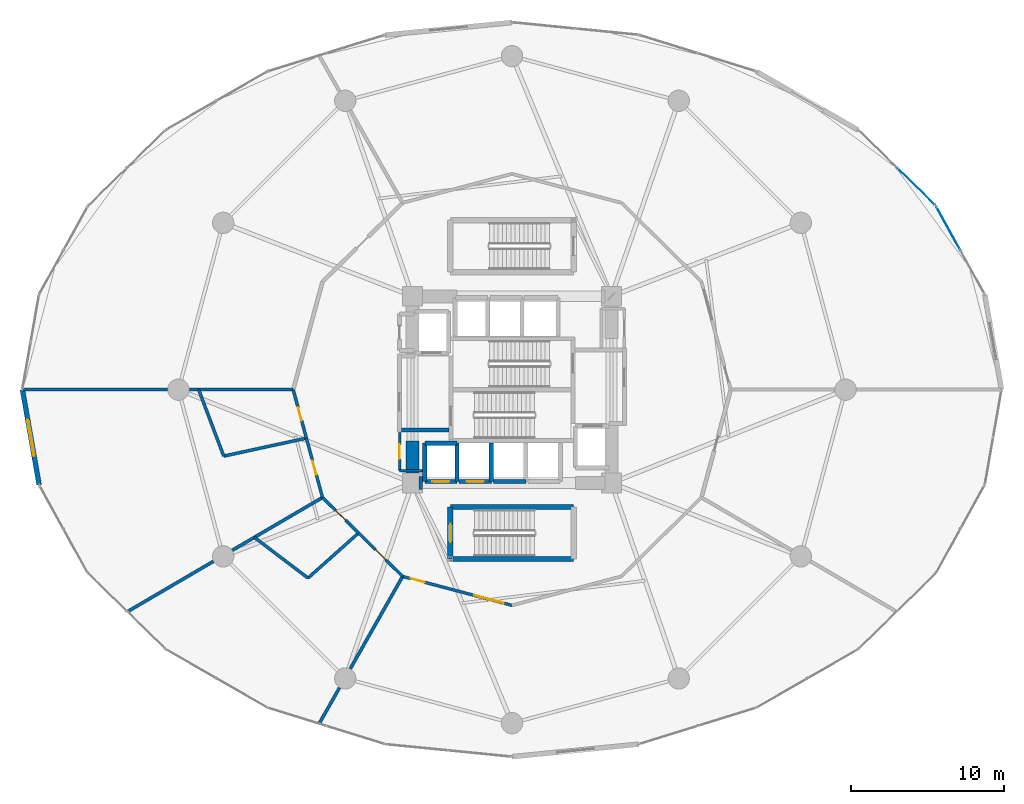
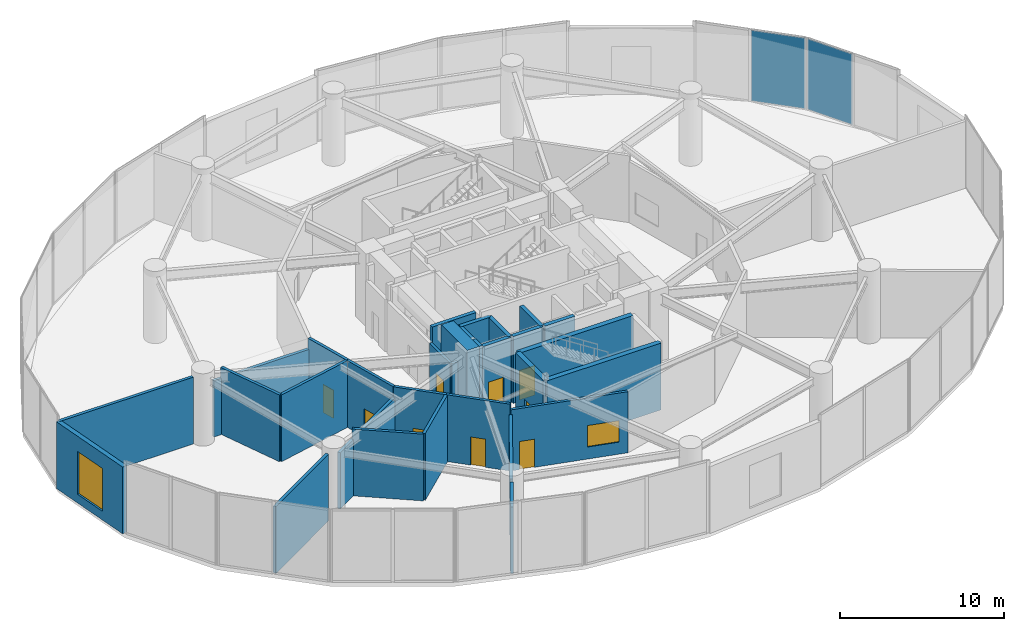
# One storey, part 23 of 29: 31 walls, 9 doors, 2 plates, 2 windows, 11 openings, 2 elements without a shape of their own.
"""IFC4 building model written with IfcOpenShell, lengths in metres."""

import ifcopenshell
import ifcopenshell.guid

model = None  # the IFC model being written
_history = None  # IfcOwnerHistory: only IFC2X3 demands one
_inside = {}  # id of a spatial element -> (the spatial element, [elements in it])
_under = {}  # id of a project, library or spatial element -> (it, [spatial elements below it])
_declared = {}  # id of a project -> (the project, [libraries it declares])
_typed = {}  # id of a type object -> (the type object, [elements of that type])
_made_of = {}  # id of a material, layer set ... -> (it, [elements and type objects made of it])


def new_model(schema):
    """Start an empty IFC model of exactly this schema.

    Asked for "IFC4X3", IfcOpenShell would pick the latest addendum, in which some entities
    have other attributes; the version numbers below select the first issue.
    IFC2X3 requires an IfcOwnerHistory on every rooted entity: one is made here for all.
    """
    global model, _history
    if schema == "IFC4X3":
        model = ifcopenshell.file(schema_version=(4, 3, 0, 0))
    else:
        model = ifcopenshell.file(schema=schema)
    _inside.clear()
    _under.clear()
    _declared.clear()
    _typed.clear()
    _made_of.clear()
    _history = None
    if model.schema == "IFC2X3":
        org = make("IfcOrganization", Name="unknown")
        user = make(
            "IfcPersonAndOrganization",
            ThePerson=make("IfcPerson", FamilyName="unknown"),
            TheOrganization=org,
        )
        app = make(
            "IfcApplication",
            ApplicationDeveloper=org,
            Version="unknown",
            ApplicationFullName="unknown",
            ApplicationIdentifier="unknown",
        )
        _history = make(
            "IfcOwnerHistory",
            OwningUser=user,
            OwningApplication=app,
            ChangeAction="ADDED",
            CreationDate=0,
        )
    return model


def make(cls, **values):
    """One entity of the class cls with the attributes given. An attribute that is None is left unset."""
    return model.create_entity(
        cls, **{name: value for name, value in values.items() if value is not None}
    )


def rooted(cls, **values):
    """An entity with a GlobalId (a new one), such as an element, a storey or a relation."""
    return make(cls, GlobalId=ifcopenshell.guid.new(), OwnerHistory=_history, **values)


def si_unit(unit_type, name, prefix=None):
    """IfcSIUnit, for example si_unit("LENGTHUNIT", "METRE", prefix="MILLI")."""
    return make("IfcSIUnit", UnitType=unit_type, Prefix=prefix, Name=name)


def assignment(units):
    """IfcUnitAssignment: the units of a project."""
    return None if units is None else make("IfcUnitAssignment", Units=units)


def point(xyz):
    """IfcCartesianPoint."""
    return None if xyz is None else make("IfcCartesianPoint", Coordinates=xyz)


def direction(xyz):
    """IfcDirection."""
    return None if xyz is None else make("IfcDirection", DirectionRatios=xyz)


def frame(location, z_axis=None, x_axis=None):
    """IfcAxis2Placement3D, a coordinate frame: its origin and axes. An axis left out is left unset."""
    return make(
        "IfcAxis2Placement3D",
        Location=point(location),
        Axis=direction(z_axis),
        RefDirection=direction(x_axis),
    )


def frame_2d(location, x_axis=None):
    """IfcAxis2Placement2D, a coordinate frame in the plane: its origin and x axis."""
    return make(
        "IfcAxis2Placement2D", Location=point(location), RefDirection=direction(x_axis)
    )


def origin():
    """The frame at (0, 0, 0) with its axes left unset."""
    return frame((0.0, 0.0, 0.0))


def origin_2d():
    """The frame at (0, 0) in the plane with its x axis left unset."""
    return frame_2d((0.0, 0.0))


def place(relative_to, where):
    """IfcLocalPlacement: puts the frame where relative to a parent placement (None: the world)."""
    return make(
        "IfcLocalPlacement", PlacementRelTo=relative_to, RelativePlacement=where
    )


def context(
    kind, dimensions, precision=None, world=None, true_north=None, identifier=None
):
    """IfcGeometricRepresentationContext, for example the 3D "Model" context."""
    return make(
        "IfcGeometricRepresentationContext",
        ContextIdentifier=identifier,
        ContextType=kind,
        CoordinateSpaceDimension=dimensions,
        Precision=precision,
        WorldCoordinateSystem=world,
        TrueNorth=true_north,
    )


def subcontext(parent, identifier, kind, view, scale=None):
    """IfcGeometricRepresentationSubContext, for example "Body" below "Model"."""
    return make(
        "IfcGeometricRepresentationSubContext",
        ContextIdentifier=identifier,
        ContextType=kind,
        ParentContext=parent,
        TargetScale=scale,
        TargetView=view,
    )


def project(units=None, contexts=None):
    """IfcProject with its units and contexts."""
    return rooted(
        "IfcProject",
        Name="project",
        RepresentationContexts=contexts,
        UnitsInContext=assignment(units),
    )


def spatial(cls, under=None, at=None, **own):
    """A site, building, storey or space (cls), placed at a placement, below another one or the project."""
    s = rooted(cls, ObjectPlacement=at, **own)
    if under is not None:
        _under.setdefault(under.id(), (under, []))[1].append(s)
    return s


def profile(cls, at=None, kind="AREA", **sizes):
    """A parametric profile (cls). Its sizes go by their IFC names, for example OverallWidth=200.0."""
    return make(cls, ProfileType=kind, Position=at, **sizes)


def rectangle(**sizes):
    """IfcRectangleProfileDef."""
    return profile("IfcRectangleProfileDef", **sizes)


def extrude(swept, where, along, depth):
    """IfcExtrudedAreaSolid: the profile swept, set in the frame where, extruded along a direction by depth."""
    return make(
        "IfcExtrudedAreaSolid",
        SweptArea=swept,
        Position=where,
        ExtrudedDirection=direction(along),
        Depth=depth,
    )


def shape(context_of_items, identifier, shape_type, items):
    """IfcShapeRepresentation: the items that make up one representation, for example the "Body"."""
    return make(
        "IfcShapeRepresentation",
        ContextOfItems=context_of_items,
        RepresentationIdentifier=identifier,
        RepresentationType=shape_type,
        Items=items,
    )


def source(mapping_origin, context_of_items, identifier, shape_type, items):
    """IfcRepresentationMap: a shape defined once, which mapped items show again and again."""
    return make(
        "IfcRepresentationMap",
        MappingOrigin=mapping_origin,
        MappedRepresentation=shape(context_of_items, identifier, shape_type, items),
    )


def transform(
    local_origin,
    x_axis=None,
    y_axis=None,
    z_axis=None,
    scale=None,
    scale2=None,
    scale3=None,
    uniform=True,
):
    """IfcCartesianTransformationOperator3D, or its non-uniform kind. x_axis, y_axis, z_axis: its Axis1, 2, 3."""
    if uniform:
        return make(
            "IfcCartesianTransformationOperator3D",
            Axis1=direction(x_axis),
            Axis2=direction(y_axis),
            LocalOrigin=point(local_origin),
            Scale=scale,
            Axis3=direction(z_axis),
        )
    return make(
        "IfcCartesianTransformationOperator3DnonUniform",
        Axis1=direction(x_axis),
        Axis2=direction(y_axis),
        LocalOrigin=point(local_origin),
        Scale=scale,
        Axis3=direction(z_axis),
        Scale2=scale2,
        Scale3=scale3,
    )


def mapped(mapping_source, mapping_target):
    """IfcMappedItem: shows the shape of a source again, moved by a transform."""
    return make(
        "IfcMappedItem", MappingSource=mapping_source, MappingTarget=mapping_target
    )


def material(Name=None, Category=None):
    """IfcMaterial."""
    return make("IfcMaterial", Name=Name, Category=Category)


def layer(
    of_material, thickness, ventilated=None, Name=None, Category=None, Priority=None
):
    """IfcMaterialLayer: one layer of a wall or slab, of a material (None: an air gap)."""
    return make(
        "IfcMaterialLayer",
        Material=of_material,
        LayerThickness=thickness,
        IsVentilated=ventilated,
        Name=Name,
        Category=Category,
        Priority=Priority,
    )


def layer_set(layers, Name=None):
    """IfcMaterialLayerSet."""
    return make("IfcMaterialLayerSet", MaterialLayers=layers, LayerSetName=Name)


def made_of(thing, what):
    """Note that an element or type object is made of a material, layer set ...; save() writes the relation."""
    if what is not None:
        _made_of.setdefault(what.id(), (what, []))[1].append(thing)
    return thing


def type_object(cls, material=None, **own):
    """A type object (cls), such as IfcWallType, which elements share."""
    return made_of(rooted(cls, **own), material)


def element(
    cls,
    number,
    at=None,
    inside=None,
    cuts=None,
    type_object=None,
    material=None,
    context=None,
    identifier="Body",
    shape_type=None,
    held_by="IfcProductDefinitionShape",
    body=None,
    shapes=None,
    **own,
):
    """One element of the class cls, such as IfcWall. Its Tag is "e" and its number.

    at: its placement. inside: the storey or other place that contains it. cuts: it is an
    opening in that element (IfcRelVoidsElement). A single representation is given by context,
    identifier, shape_type and body (its items); several are given by shapes. held_by: the class
    of the entity that holds the representations. save() writes the other relations.
    """
    e = rooted(cls, Tag="e%d" % number, ObjectPlacement=at, **own)
    if body is not None:
        shapes = [shape(context, identifier, shape_type, body)]
    if shapes is not None:
        e.Representation = make(held_by, Representations=shapes)
    if inside is not None:
        _inside.setdefault(inside.id(), (inside, []))[1].append(e)
    if cuts is not None:
        rooted(
            "IfcRelVoidsElement", RelatingBuildingElement=cuts, RelatedOpeningElement=e
        )
    if type_object is not None:
        _typed.setdefault(type_object.id(), (type_object, []))[1].append(e)
    return made_of(e, material)


def fill(opening, filler):
    """IfcRelFillsElement: the door or window that sits in an opening."""
    return rooted(
        "IfcRelFillsElement",
        RelatingOpeningElement=opening,
        RelatedBuildingElement=filler,
    )


def aggregate(whole, parts):
    """IfcRelAggregates: a whole, such as a stair, and the parts it consists of."""
    return rooted("IfcRelAggregates", RelatingObject=whole, RelatedObjects=parts)


def save(model, path):
    """Write the relations noted so far, then the file.

    IfcRelAggregates (storeys below a building ...), IfcRelContainedInSpatialStructure (elements
    in a storey), IfcRelDefinesByType, IfcRelAssociatesMaterial and IfcRelDeclares: one each for
    every whole, place, type object, material and project.
    """
    for whole, parts in _under.values():
        aggregate(whole, parts)
    for where, things in _inside.values():
        rooted(
            "IfcRelContainedInSpatialStructure",
            RelatedElements=things,
            RelatingStructure=where,
        )
    for kind, things in _typed.values():
        rooted("IfcRelDefinesByType", RelatedObjects=things, RelatingType=kind)
    for what, things in _made_of.values():
        rooted("IfcRelAssociatesMaterial", RelatedObjects=things, RelatingMaterial=what)
    for by, libraries in _declared.values():
        rooted("IfcRelDeclares", RelatingContext=by, RelatedDefinitions=libraries)
    model.write(path)


model = new_model("IFC4")

# Units and contexts
model_context = context("Model", 3, precision=1e-05, world=origin(), true_north=direction((0.0, 1.0)))
body_context = subcontext(model_context, "Body", "Model", "MODEL_VIEW")
ifc_project = project(units=[si_unit("LENGTHUNIT", "METRE"), si_unit("AREAUNIT", "SQUARE_METRE"), si_unit("VOLUMEUNIT", "CUBIC_METRE"), si_unit("PLANEANGLEUNIT", "RADIAN"), si_unit("MASSUNIT", "GRAM", prefix="KILO")], contexts=[model_context])

# Site, building, storey
site_placement = place(None, origin())
site = spatial("IfcSite", under=ifc_project, at=site_placement, CompositionType="ELEMENT")
building_placement = place(site_placement, origin())
building = spatial("IfcBuilding", under=site, at=building_placement, Name="Solvirekh Grand Hotel", CompositionType="ELEMENT")
storey_placement = place(building_placement, frame((0.0, 0.0, 7.199951171875)))
storey = spatial("IfcBuildingStorey", under=building, at=storey_placement, Name="L01", CompositionType="ELEMENT", Elevation=7.199951171875)

# Curtain wall, plate
ifc_material_1 = material(Name="Anodized Bronze Aluminium 6063-T6", Category="aluminium")
ifc_layer_1 = layer(ifc_material_1, 0.219970703125)
ifc_layer_set_1 = layer_set([ifc_layer_1], Name="Anodized Bronze Aluminium 6063-T6")
curtain_wall_type = type_object("IfcCurtainWallType", Name="CW_Sys1_PodiumBronzeUnitised", PredefinedType="NOTDEFINED", material=ifc_layer_set_1)
curtain_wall_1_placement = place(storey_placement, origin())
curtain_wall_1 = element("IfcCurtainWall", 1, at=curtain_wall_1_placement, inside=storey, type_object=curtain_wall_type, Name="L01 unitised bronze-glass curtain wall CW-L01-C02", PredefinedType="NOTDEFINED")
ifc_material_2 = material(Name="Low-E Tinted Bronze Laminated Glass", Category="aluminium")
ifc_layer_2 = layer(ifc_material_2, 0.0439453125)
ifc_layer_set_2 = layer_set([ifc_layer_2], Name="Low-E Tinted Bronze Laminated Glass")
plate_type = type_object("IfcPlateType", Name="CWPanel_Podium_44", PredefinedType="CURTAIN_PANEL", material=ifc_layer_set_2)
shared_shape_1 = source(origin(), body_context, "Body", "SweptSolid", [
    extrude(rectangle(XDim=3.193603515625, YDim=0.0439453125, at=origin_2d()), origin(), (0.0, 0.0, 1.0), 5.27001953125),
])
plate_1_placement = place(storey_placement, frame((28.521240234375, 10.53662109375, 0.06494140625), z_axis=(0.0, 0.0, 1.0), x_axis=(-0.48349707719, 0.875345975229, 0.0)))
plate_1 = element("IfcPlate", 2, at=plate_1_placement, type_object=plate_type, Name="U01 panel 2.1", PredefinedType="CURTAIN_PANEL", context=body_context, shape_type="MappedRepresentation", body=[
    mapped(shared_shape_1, transform((0.0, 0.0, 0.0), x_axis=(1.0, 0.0, 0.0), y_axis=(0.0, 1.0, 0.0), z_axis=(0.0, 0.0, 1.0), scale=1.0)),
])
aggregate(curtain_wall_1, [plate_1])

curtain_wall_2_placement = place(storey_placement, origin())
curtain_wall_2 = element("IfcCurtainWall", 3, at=curtain_wall_2_placement, inside=storey, type_object=curtain_wall_type, Name="L01 unitised bronze-glass curtain wall CW-L01-C03", PredefinedType="NOTDEFINED")
shared_shape_2 = source(origin(), body_context, "Body", "SweptSolid", [
    extrude(rectangle(XDim=3.443359375, YDim=0.0439453125, at=origin_2d()), origin(), (0.0, 0.0, 1.0), 5.27001953125),
])
plate_2_placement = place(storey_placement, frame((26.427978515625, 13.255859375, 0.06494140625), z_axis=(0.0, 0.0, 1.0), x_axis=(-0.715145668062, 0.698975445529, 0.0)))
plate_2 = element("IfcPlate", 4, at=plate_2_placement, type_object=plate_type, Name="U01 panel 1.1", PredefinedType="CURTAIN_PANEL", context=body_context, shape_type="MappedRepresentation", body=[
    mapped(shared_shape_2, transform((0.0, 0.0, 0.0), x_axis=(1.0, 0.0, 0.0), y_axis=(0.0, 1.0, 0.0), z_axis=(0.0, 0.0, 1.0), scale=1.0)),
])
aggregate(curtain_wall_2, [plate_2])

# Wall, opening, door
ifc_material_3 = material(Name="Concrete C50/60", Category="concrete")
ifc_layer_3 = layer(ifc_material_3, 0.35009765625)
ifc_layer_set_3 = layer_set([ifc_layer_3], Name="Concrete C50/60")
wall_type_1 = type_object("IfcWallType", Name="CoreDivWall_RC350", PredefinedType="SOLIDWALL", material=ifc_layer_set_3)
wall_1_placement = place(storey_placement, frame((-4.02490234375, -11.074951171875, 0.0), z_axis=(0.0, 0.0, 1.0), x_axis=(0.0, 1.0, 0.0)))
wall_1 = element("IfcWall", 5, at=wall_1_placement, inside=storey, type_object=wall_type_1, Name="L01 podium stair ST-3 west landing wall", PredefinedType="SOLIDWALL", context=body_context, shape_type="SweptSolid", body=[
    extrude(rectangle(XDim=3.39990234375, YDim=0.35009765625, at=frame_2d((1.699951171875, 0.0))), origin(), (0.0, 0.0, 1.0), 4.97998046875),
])
opening_1_placement = place(wall_1_placement, frame((1.10009765625, 0.0, 0.0)))
opening_1 = element("IfcOpeningElement", 6, at=opening_1_placement, cuts=wall_1, Name="Opening D05", PredefinedType="OPENING", context=body_context, shape_type="SweptSolid", body=[
    extrude(rectangle(XDim=1.199951171875, YDim=2.199951171875, at=frame_2d((0.60009765625, 1.10009765625))), frame((0.0, 0.18505859375, 0.0), z_axis=(0.0, -1.0, 0.0), x_axis=(1.0, 0.0, 0.0)), (0.0, 0.0, 1.0), 0.3701171875),
])
ifc_material_4 = material(Name="Fire-Rated Steel Door Assembly", Category="steel")
door_type_1 = type_object("IfcDoorType", Name="Door_StairCore_1200X2200", OperationType="NOTDEFINED", PredefinedType="DOOR", material=ifc_material_4)
door_1_placement = place(opening_1_placement, origin())
door_1 = element("IfcDoor", 7, at=door_1_placement, inside=storey, type_object=door_type_1, Name="L01 podium stair ST-3 fire door", OperationType="SINGLE_SWING_LEFT", OverallHeight=2.199951171875, OverallWidth=1.199951171875, PredefinedType="DOOR", context=body_context, shape_type="SweptSolid", body=[
    extrude(rectangle(XDim=1.199951171875, YDim=2.199951171875, at=frame_2d((0.60009765625, 1.10009765625))), frame((0.0, 0.02490234375, 0.0), z_axis=(0.0, -1.0, 0.0), x_axis=(1.0, 0.0, 0.0)), (0.0, 0.0, 1.0), 0.050048828125),
])
fill(opening_1, door_1)

# Walls
for number, where, z_axis, x_axis, name in (
    (8, (-4.02490234375, -11.074951171875, 0.0), (0.0, 0.0, 1.0), (1.0, 0.0, 0.0), "L01 podium stair ST-3 S enclosure wall"),
    (9, (4.02490234375, -7.675048828125, 0.0), (0.0, 0.0, 1.0), (-1.0, 0.0, 0.0), "L01 podium stair ST-3 N enclosure wall"),
):
    element("IfcWall", number, at=place(storey_placement, frame(where, z_axis=z_axis, x_axis=x_axis)), inside=storey, type_object=wall_type_1, Name=name, PredefinedType="SOLIDWALL", context=body_context, shape_type="SweptSolid", body=[
        extrude(rectangle(XDim=8.0498046875, YDim=0.35009765625, at=frame_2d((4.02490234375, 0.0))), origin(), (0.0, 0.0, 1.0), 4.97998046875),
    ])

# Wall, opening, door
ifc_material_5 = material(Name="Concrete C40/50", Category="concrete")
ifc_layer_4 = layer(ifc_material_5, 0.280029296875)
ifc_layer_set_4 = layer_set([ifc_layer_4], Name="Concrete C40/50")
wall_type_2 = type_object("IfcWallType", Name="CoreShaftWall_RC280", PredefinedType="SOLIDWALL", material=ifc_layer_set_4)
wall_2_placement = place(storey_placement, frame((-5.699951171875, -6.0, 0.0), z_axis=(0.0, 0.0, 1.0), x_axis=(1.0, 0.0, 0.0)))
wall_2 = element("IfcWall", 10, at=wall_2_placement, inside=storey, type_object=wall_type_2, Name="L01 LP-1 hoistway S wall", PredefinedType="SOLIDWALL", context=body_context, shape_type="SweptSolid", body=[
    extrude(rectangle(XDim=2.099853515625, YDim=0.280029296875, at=frame_2d((1.0498046875, 0.0))), origin(), (0.0, 0.0, 1.0), 4.97998046875),
])
opening_2_placement = place(wall_2_placement, frame((0.5, 0.0, 0.0)))
opening_2 = element("IfcOpeningElement", 11, at=opening_2_placement, cuts=wall_2, Name="Opening LD01", PredefinedType="OPENING", context=body_context, shape_type="SweptSolid", body=[
    extrude(rectangle(XDim=1.10009765625, YDim=2.199951171875, at=frame_2d((0.550048828125, 1.10009765625))), frame((0.0, 0.14990234375, 0.0), z_axis=(0.0, -1.0, 0.0), x_axis=(1.0, 0.0, 0.0)), (0.0, 0.0, 1.0), 0.300048828125),
])
door_type_2 = type_object("IfcDoorType", Name="Door_LiftLanding_1100X2200", OperationType="SLIDING_TO_LEFT", PredefinedType="DOOR", material=ifc_material_4)
door_2_placement = place(opening_2_placement, origin())
door_2 = element("IfcDoor", 12, at=door_2_placement, inside=storey, type_object=door_type_2, Name="L01 LP-1 sliding lift landing door", OperationType="SLIDING_TO_LEFT", OverallHeight=2.199951171875, OverallWidth=1.10009765625, PredefinedType="DOOR", context=body_context, shape_type="SweptSolid", body=[
    extrude(rectangle(XDim=1.10009765625, YDim=2.199951171875, at=frame_2d((0.550048828125, 1.10009765625))), frame((0.0, 0.02490234375, 0.0), z_axis=(0.0, -1.0, 0.0), x_axis=(1.0, 0.0, 0.0)), (0.0, 0.0, 1.0), 0.050048828125),
])
fill(opening_2, door_2)

# Walls
wall_3_placement = place(storey_placement, frame((-3.60009765625, -3.5, 0.0), z_axis=(0.0, 0.0, 1.0), x_axis=(-1.0, 0.0, 0.0)))
element("IfcWall", 13, at=wall_3_placement, inside=storey, type_object=wall_type_2, Name="L01 LP-1 hoistway N wall", PredefinedType="SOLIDWALL", context=body_context, shape_type="SweptSolid", body=[
    extrude(rectangle(XDim=2.099853515625, YDim=0.280029296875, at=frame_2d((1.0498046875, 0.0))), origin(), (0.0, 0.0, 1.0), 4.97998046875),
])
for number, where, z_axis, x_axis, name in (
    (14, (-5.699951171875, -3.5, 0.0), (0.0, 0.0, 1.0), (0.0, -1.0, 0.0), "L01 LP-1 hoistway W wall"),
    (15, (-3.60009765625, -6.0, 0.0), (0.0, 0.0, 1.0), (0.0, 1.0, 0.0), "L01 LP-1 hoistway E wall"),
):
    element("IfcWall", number, at=place(storey_placement, frame(where, z_axis=z_axis, x_axis=x_axis)), inside=storey, type_object=wall_type_2, Name=name, PredefinedType="SOLIDWALL", context=body_context, shape_type="SweptSolid", body=[
        extrude(rectangle(XDim=2.5, YDim=0.280029296875, at=frame_2d((1.25, 0.0))), origin(), (0.0, 0.0, 1.0), 4.97998046875),
    ])

# Wall, opening, door
wall_4_placement = place(storey_placement, frame((-3.449951171875, -6.0, 0.0), z_axis=(0.0, 0.0, 1.0), x_axis=(1.0, 0.0, 0.0)))
wall_4 = element("IfcWall", 16, at=wall_4_placement, inside=storey, type_object=wall_type_2, Name="L01 LP-2 hoistway S wall", PredefinedType="SOLIDWALL", context=body_context, shape_type="SweptSolid", body=[
    extrude(rectangle(XDim=2.099853515625, YDim=0.280029296875, at=frame_2d((1.0498046875, 0.0))), origin(), (0.0, 0.0, 1.0), 4.97998046875),
])
opening_3_placement = place(wall_4_placement, frame((0.5, 0.0, 0.0)))
opening_3 = element("IfcOpeningElement", 17, at=opening_3_placement, cuts=wall_4, Name="Opening LD01", PredefinedType="OPENING", context=body_context, shape_type="SweptSolid", body=[
    extrude(rectangle(XDim=1.10009765625, YDim=2.199951171875, at=frame_2d((0.550048828125, 1.10009765625))), frame((0.0, 0.14990234375, 0.0), z_axis=(0.0, -1.0, 0.0), x_axis=(1.0, 0.0, 0.0)), (0.0, 0.0, 1.0), 0.300048828125),
])
door_3_placement = place(opening_3_placement, origin())
door_3 = element("IfcDoor", 18, at=door_3_placement, inside=storey, type_object=door_type_2, Name="L01 LP-2 sliding lift landing door", OperationType="SLIDING_TO_LEFT", OverallHeight=2.199951171875, OverallWidth=1.10009765625, PredefinedType="DOOR", context=body_context, shape_type="SweptSolid", body=[
    extrude(rectangle(XDim=1.10009765625, YDim=2.199951171875, at=frame_2d((0.550048828125, 1.10009765625))), frame((0.0, 0.02490234375, 0.0), z_axis=(0.0, -1.0, 0.0), x_axis=(1.0, 0.0, 0.0)), (0.0, 0.0, 1.0), 0.050048828125),
])
fill(opening_3, door_3)

# Walls
wall_5_placement = place(storey_placement, frame((-1.35009765625, -6.0, 0.0), z_axis=(0.0, 0.0, 1.0), x_axis=(0.0, 1.0, 0.0)))
element("IfcWall", 19, at=wall_5_placement, inside=storey, type_object=wall_type_2, Name="L01 LP-2 hoistway E wall", PredefinedType="SOLIDWALL", context=body_context, shape_type="SweptSolid", body=[
    extrude(rectangle(XDim=2.5, YDim=0.280029296875, at=frame_2d((1.25, 0.0))), origin(), (0.0, 0.0, 1.0), 4.97998046875),
])
wall_6_placement = place(storey_placement, frame((-1.199951171875, -6.0, 0.0), z_axis=(0.0, 0.0, 1.0), x_axis=(1.0, 0.0, 0.0)))
element("IfcWall", 20, at=wall_6_placement, inside=storey, type_object=wall_type_2, Name="L01 MP-1 hoistway S wall", PredefinedType="SOLIDWALL", context=body_context, shape_type="SweptSolid", body=[
    extrude(rectangle(XDim=2.099853515625, YDim=0.280029296875, at=frame_2d((1.0498046875, 0.0))), origin(), (0.0, 0.0, 1.0), 4.97998046875),
])
ifc_material_6 = material(Name="Concrete C60/75", Category="concrete")
ifc_layer_5 = layer(ifc_material_6, 0.85009765625)
ifc_layer_set_5 = layer_set([ifc_layer_5], Name="Concrete C60/75")
wall_type_3 = type_object("IfcWallType", Name="CoreWall_RC850", PredefinedType="SHEAR", material=ifc_layer_set_5)
wall_7_placement = place(storey_placement, frame((-6.074951171875, -6.10009765625, 0.0), z_axis=(0.0, 0.0, 1.0), x_axis=(1.0, 0.0, 0.0)))
element("IfcWall", 21, at=wall_7_placement, inside=storey, type_object=wall_type_3, Name="L01 core corner shear wall SW-S", PredefinedType="SHEAR", context=body_context, shape_type="SweptSolid", body=[
    extrude(rectangle(XDim=0.224853515625, YDim=0.85009765625, at=frame_2d((0.1123046875, 0.0))), origin(), (0.0, 0.0, 1.0), 5.400146484375),
])
wall_8_placement = place(storey_placement, frame((-6.5, -6.52490234375, 0.0), z_axis=(0.0, 0.0, 1.0), x_axis=(0.0, 1.0, 0.0)))
element("IfcWall", 22, at=wall_8_placement, inside=storey, type_object=wall_type_3, Name="L01 core corner shear wall WS-W", PredefinedType="SHEAR", context=body_context, shape_type="SweptSolid", body=[
    extrude(rectangle(XDim=3.1748046875, YDim=0.85009765625, at=frame_2d((1.58740234375, 0.0))), origin(), (0.0, 0.0, 1.0), 5.400146484375),
])

# Wall, opening, window
ifc_material_7 = material(Name="Precast concrete C45/55", Category="concrete")
ifc_layer_6 = layer(ifc_material_7, 0.320068359375)
ifc_layer_set_6 = layer_set([ifc_layer_6], Name="Precast concrete C45/55")
wall_type_4 = type_object("IfcWallType", Name="ExtLobbyWall_RC320", PredefinedType="SOLIDWALL", material=ifc_layer_set_6)
wall_9_placement = place(storey_placement, frame((-30.909912109375, -6.2119140625, 0.0), z_axis=(0.0, 0.0, 1.0), x_axis=(-0.172842303266, 0.984949510483, 0.0)))
wall_9 = element("IfcWall", 23, at=wall_9_placement, inside=storey, type_object=wall_type_4, Name="L01 exterior structural wall chord 13", PredefinedType="SOLIDWALL", context=body_context, shape_type="SweptSolid", body=[
    extrude(rectangle(XDim=6.306884765625, YDim=0.320068359375, at=frame_2d((3.1533203125, 0.0))), origin(), (0.0, 0.0, 1.0), 4.97998046875),
])
opening_4_placement = place(wall_9_placement, frame((1.89990234375, 0.0, 0.64990234375)))
opening_4 = element("IfcOpeningElement", 24, at=opening_4_placement, cuts=wall_9, Name="Opening W01", PredefinedType="OPENING", context=body_context, shape_type="SweptSolid", body=[
    extrude(rectangle(XDim=2.39990234375, YDim=3.199951171875, at=frame_2d((1.199951171875, 1.60009765625))), frame((0.0, 0.169921875, 0.0), z_axis=(0.0, -1.0, 0.0), x_axis=(1.0, 0.0, 0.0)), (0.0, 0.0, 1.0), 0.340087890625),
])
window_type_1 = type_object("IfcWindowType", Name="Win_LobbyExt_2400X3200", PartitioningType="SINGLE_PANEL", PredefinedType="WINDOW", material=ifc_material_2)
window_1_placement = place(opening_4_placement, origin())
window_1 = element("IfcWindow", 25, at=window_1_placement, inside=storey, type_object=window_type_1, Name="L01 panoramic bronze-framed window 13", OverallHeight=3.199951171875, OverallWidth=2.39990234375, PartitioningType="SINGLE_PANEL", PredefinedType="WINDOW", context=body_context, shape_type="SweptSolid", body=[
    extrude(rectangle(XDim=2.39990234375, YDim=3.199951171875, at=frame_2d((1.199951171875, 1.60009765625))), frame((0.0, 0.030029296875, 0.0), z_axis=(0.0, -1.0, 0.0), x_axis=(1.0, 0.0, 0.0)), (0.0, 0.0, 1.0), 0.06005859375),
])
fill(opening_4, window_1)

# Wall
ifc_material_8 = material(Name="Acoustic Gypsum Partition Assembly")
ifc_layer_7 = layer(ifc_material_8, 0.1650390625)
ifc_layer_set_7 = layer_set([ifc_layer_7], Name="Acoustic Gypsum Partition Assembly")
wall_type_5 = type_object("IfcWallType", Name="Part_BOH_165", PredefinedType="PARTITIONING", material=ifc_layer_set_7)
wall_10_placement = place(storey_placement, frame((-7.35009765625, -5.300048828125, 0.0), z_axis=(0.0, 0.0, 1.0), x_axis=(1.0, 0.0, 0.0)))
element("IfcWall", 26, at=wall_10_placement, inside=storey, type_object=wall_type_5, Name="L01 L01 Core Linen Store wall 1", PredefinedType="PARTITIONING", context=body_context, shape_type="SweptSolid", body=[
    extrude(rectangle(XDim=1.5, YDim=0.1650390625, at=frame_2d((0.75, 0.0))), origin(), (0.0, 0.0, 1.0), 3.864990234375),
])

# Wall, opening, door
wall_11_placement = place(storey_placement, frame((-7.35009765625, -2.800048828125, 0.0), z_axis=(0.0, 0.0, 1.0), x_axis=(0.0, -1.0, 0.0)))
wall_11 = element("IfcWall", 27, at=wall_11_placement, inside=storey, type_object=wall_type_5, Name="L01 L01 Core Linen Store wall 4", PredefinedType="PARTITIONING", context=body_context, shape_type="SweptSolid", body=[
    extrude(rectangle(XDim=2.5, YDim=0.1650390625, at=frame_2d((1.25, 0.0))), origin(), (0.0, 0.0, 1.0), 3.864990234375),
])
opening_5_placement = place(wall_11_placement, frame((0.77490234375, 0.0, 0.0)))
opening_5 = element("IfcOpeningElement", 28, at=opening_5_placement, cuts=wall_11, Name="Opening D10", PredefinedType="OPENING", context=body_context, shape_type="SweptSolid", body=[
    extrude(rectangle(XDim=0.949951171875, YDim=2.10009765625, at=frame_2d((0.47509765625, 1.050048828125))), frame((0.0, 0.092529296875, 0.0), z_axis=(0.0, -1.0, 0.0), x_axis=(1.0, 0.0, 0.0)), (0.0, 0.0, 1.0), 0.18505859375),
])
door_type_3 = type_object("IfcDoorType", Name="Door_RoomInt_950X2100", OperationType="NOTDEFINED", PredefinedType="DOOR", material=ifc_material_1)
door_4_placement = place(opening_5_placement, origin())
door_4 = element("IfcDoor", 29, at=door_4_placement, inside=storey, type_object=door_type_3, Name="L01 L01 Core Linen Store door", OperationType="SINGLE_SWING_RIGHT", OverallHeight=2.10009765625, OverallWidth=0.949951171875, PredefinedType="DOOR", context=body_context, shape_type="SweptSolid", body=[
    extrude(rectangle(XDim=0.949951171875, YDim=2.10009765625, at=frame_2d((0.47509765625, 1.050048828125))), frame((0.0, 0.02490234375, 0.0), z_axis=(0.0, -1.0, 0.0), x_axis=(1.0, 0.0, 0.0)), (0.0, 0.0, 1.0), 0.050048828125),
])
fill(opening_5, door_4)

ifc_layer_8 = layer(ifc_material_8, 0.18994140625)
ifc_layer_set_8 = layer_set([ifc_layer_8], Name="Acoustic Gypsum Partition Assembly")
wall_type_6 = type_object("IfcWallType", Name="Part_GuestDemise_190", PredefinedType="PARTITIONING", material=ifc_layer_set_8)
wall_12_placement = place(storey_placement, frame((-13.43798828125, -3.172119140625, 0.0), z_axis=(0.0, 0.0, 1.0), x_axis=(0.262269103922, -0.9649947757, 0.0)))
wall_12 = element("IfcWall", 30, at=wall_12_placement, inside=storey, type_object=wall_type_6, Name="L01 Brasserie Sommelier Wine Salon corridor wall", PredefinedType="PARTITIONING", context=body_context, shape_type="SweptSolid", body=[
    extrude(rectangle(XDim=4.0185546875, YDim=0.18994140625, at=frame_2d((2.00927734375, 0.0))), origin(), (0.0, 0.0, 1.0), 4.97998046875),
])
opening_6_placement = place(wall_12_placement, frame((1.533935546875, 0.0, 0.0)))
opening_6 = element("IfcOpeningElement", 31, at=opening_6_placement, cuts=wall_12, Name="Opening D10", PredefinedType="OPENING", context=body_context, shape_type="SweptSolid", body=[
    extrude(rectangle(XDim=0.949951171875, YDim=2.10009765625, at=frame_2d((0.47509765625, 1.050048828125))), frame((0.0, 0.10498046875, 0.0), z_axis=(0.0, -1.0, 0.0), x_axis=(1.0, 0.0, 0.0)), (0.0, 0.0, 1.0), 0.2099609375),
])
door_5_placement = place(opening_6_placement, origin())
door_5 = element("IfcDoor", 32, at=door_5_placement, inside=storey, type_object=door_type_3, Name="L01 Brasserie Sommelier Wine Salon entrance door", OperationType="SINGLE_SWING_LEFT", OverallHeight=2.10009765625, OverallWidth=0.949951171875, PredefinedType="DOOR", context=body_context, shape_type="SweptSolid", body=[
    extrude(rectangle(XDim=0.949951171875, YDim=2.10009765625, at=frame_2d((0.47509765625, 1.050048828125))), frame((0.0, 0.02490234375, 0.0), z_axis=(0.0, -1.0, 0.0), x_axis=(1.0, 0.0, 0.0)), (0.0, 0.0, 1.0), 0.050048828125),
])
fill(opening_6, door_5)

wall_13_placement = place(storey_placement, frame((-10.029052734375, -9.3720703125, 0.0), z_axis=(0.0, 0.0, 1.0), x_axis=(0.712070649597, -0.702107819343, 0.0)))
wall_13 = element("IfcWall", 33, at=wall_13_placement, inside=storey, type_object=wall_type_6, Name="L01 Private Chef Tasting Salon corridor wall", PredefinedType="PARTITIONING", context=body_context, shape_type="SweptSolid", body=[
    extrude(rectangle(XDim=4.04345703125, YDim=0.18994140625, at=frame_2d((2.021728515625, 0.0))), origin(), (0.0, 0.0, 1.0), 4.97998046875),
])
opening_7_placement = place(wall_13_placement, frame((1.547119140625, 0.0, 0.0)))
opening_7 = element("IfcOpeningElement", 34, at=opening_7_placement, cuts=wall_13, Name="Opening D10", PredefinedType="OPENING", context=body_context, shape_type="SweptSolid", body=[
    extrude(rectangle(XDim=0.949951171875, YDim=2.10009765625, at=frame_2d((0.47509765625, 1.050048828125))), frame((0.0, 0.10498046875, 0.0), z_axis=(0.0, -1.0, 0.0), x_axis=(1.0, 0.0, 0.0)), (0.0, 0.0, 1.0), 0.2099609375),
])
door_6_placement = place(opening_7_placement, origin())
door_6 = element("IfcDoor", 35, at=door_6_placement, inside=storey, type_object=door_type_3, Name="L01 Private Chef Tasting Salon entrance door", OperationType="SINGLE_SWING_LEFT", OverallHeight=2.10009765625, OverallWidth=0.949951171875, PredefinedType="DOOR", context=body_context, shape_type="SweptSolid", body=[
    extrude(rectangle(XDim=0.949951171875, YDim=2.10009765625, at=frame_2d((0.47509765625, 1.050048828125))), frame((0.0, 0.02490234375, 0.0), z_axis=(0.0, -1.0, 0.0), x_axis=(1.0, 0.0, 0.0)), (0.0, 0.0, 1.0), 0.050048828125),
])
fill(opening_7, door_6)

# Wall, openings, door, window
wall_14_placement = place(storey_placement, frame((-7.14990234375, -12.2109375, 0.0), z_axis=(0.0, 0.0, 1.0), x_axis=(0.966820901533, -0.255455170937, 0.0)))
wall_14 = element("IfcWall", 36, at=wall_14_placement, inside=storey, type_object=wall_type_6, Name="L01 Specialty Russian Fine-Dining Restaurant corridor wall", PredefinedType="PARTITIONING", context=body_context, shape_type="SweptSolid", body=[
    extrude(rectangle(XDim=7.395263671875, YDim=0.18994140625, at=frame_2d((3.69775390625, 0.0))), origin(), (0.0, 0.0, 1.0), 4.55810546875),
])
opening_8_placement = place(wall_14_placement, frame((0.550048828125, 0.0, 0.0)))
opening_8 = element("IfcOpeningElement", 37, at=opening_8_placement, cuts=wall_14, Name="Opening D10", PredefinedType="OPENING", context=body_context, shape_type="SweptSolid", body=[
    extrude(rectangle(XDim=0.949951171875, YDim=2.10009765625, at=frame_2d((0.47509765625, 1.050048828125))), frame((0.0, 0.10498046875, 0.0), z_axis=(0.0, -1.0, 0.0), x_axis=(1.0, 0.0, 0.0)), (0.0, 0.0, 1.0), 0.2099609375),
])
opening_9_placement = place(wall_14_placement, frame((4.844970703125, 0.0, 0.89990234375)))
opening_9 = element("IfcOpeningElement", 38, at=opening_9_placement, cuts=wall_14, Name="Opening W03", PredefinedType="OPENING", context=body_context, shape_type="SweptSolid", body=[
    extrude(rectangle(XDim=2.0, YDim=1.60009765625, at=frame_2d((1.0, 0.800048828125))), frame((0.0, 0.10498046875, 0.0), z_axis=(0.0, -1.0, 0.0), x_axis=(1.0, 0.0, 0.0)), (0.0, 0.0, 1.0), 0.2099609375),
])
door_7_placement = place(opening_8_placement, origin())
door_7 = element("IfcDoor", 39, at=door_7_placement, inside=storey, type_object=door_type_3, Name="L01 Specialty Russian Fine-Dining Restaurant entrance door", OperationType="SINGLE_SWING_RIGHT", OverallHeight=2.10009765625, OverallWidth=0.949951171875, PredefinedType="DOOR", context=body_context, shape_type="SweptSolid", body=[
    extrude(rectangle(XDim=0.949951171875, YDim=2.10009765625, at=frame_2d((0.47509765625, 1.050048828125))), frame((0.0, 0.02490234375, 0.0), z_axis=(0.0, -1.0, 0.0), x_axis=(1.0, 0.0, 0.0)), (0.0, 0.0, 1.0), 0.050048828125),
])
fill(opening_8, door_7)
ifc_material_9 = material(Name="Fire-Rated Ceramic Glazing", Category="glass")
window_type_2 = type_object("IfcWindowType", Name="Win_FoyerInt_2000X1600", PartitioningType="SINGLE_PANEL", PredefinedType="WINDOW", material=ifc_material_9)
window_2_placement = place(opening_9_placement, origin())
window_2 = element("IfcWindow", 40, at=window_2_placement, inside=storey, type_object=window_type_2, Name="L01 Specialty Russian Fine-Dining Restaurant interior glazed screen", OverallHeight=1.60009765625, OverallWidth=2.0, PartitioningType="SINGLE_PANEL", PredefinedType="WINDOW", context=body_context, shape_type="SweptSolid", body=[
    extrude(rectangle(XDim=2.0, YDim=1.60009765625, at=frame_2d((1.0, 0.800048828125))), frame((0.0, 0.030029296875, 0.0), z_axis=(0.0, -1.0, 0.0), x_axis=(1.0, 0.0, 0.0)), (0.0, 0.0, 1.0), 0.06005859375),
])
fill(opening_9, window_2)

# Walls
ifc_layer_9 = layer(ifc_material_8, 0.260009765625)
ifc_layer_set_9 = layer_set([ifc_layer_9], Name="Acoustic Gypsum Partition Assembly")
wall_type_7 = type_object("IfcWallType", Name="Part_LobbyFF_260", PredefinedType="PARTITIONING", material=ifc_layer_set_9)
wall_15_placement = place(storey_placement, frame((-7.22509765625, -2.64990234375, 0.0), z_axis=(0.0, 0.0, 1.0), x_axis=(1.0, 0.0, 0.0)))
element("IfcWall", 41, at=wall_15_placement, inside=storey, type_object=wall_type_7, Name="L01 west firefighting lobby south partition", PredefinedType="PARTITIONING", context=body_context, shape_type="SweptSolid", body=[
    extrude(rectangle(XDim=3.09521484375, YDim=0.260009765625, at=frame_2d((1.547607421875, 0.0))), origin(), (0.0, 0.0, 1.0), 4.97998046875),
])
ifc_layer_10 = layer(ifc_material_8, 0.2099609375)
ifc_layer_set_10 = layer_set([ifc_layer_10], Name="Acoustic Gypsum Partition Assembly")
wall_type_8 = type_object("IfcWallType", Name="Part_SuiteDemise_210", PredefinedType="PARTITIONING", material=ifc_layer_set_10)
wall_16_placement = place(storey_placement, frame((-14.300048828125, 0.0, 0.0), z_axis=(0.0, 0.0, 1.0), x_axis=(-1.0, 0.0, 0.0)))
element("IfcWall", 42, at=wall_16_placement, inside=storey, type_object=wall_type_8, Name="L01 radial demising wall 7 (A)", PredefinedType="PARTITIONING", context=body_context, shape_type="SweptSolid", body=[
    extrude(rectangle(XDim=6.780029296875, YDim=0.2099609375, at=frame_2d((3.39013671875, 0.0))), origin(), (0.0, 0.0, 1.0), 4.191162109375),
])
wall_17_placement = place(storey_placement, frame((-22.52001953125, 0.0, 0.0), z_axis=(0.0, 0.0, 1.0), x_axis=(-1.0, 0.0, 0.0)))
element("IfcWall", 43, at=wall_17_placement, inside=storey, type_object=wall_type_8, Name="L01 radial demising wall 7 (B)", PredefinedType="PARTITIONING", context=body_context, shape_type="SweptSolid", body=[
    extrude(rectangle(XDim=9.43994140625, YDim=0.2099609375, at=frame_2d((4.719970703125, 0.0))), origin(), (0.0, 0.0, 1.0), 4.97998046875),
])
wall_18_placement = place(storey_placement, frame((-12.384033203125, -7.050048828125, 0.0), z_axis=(0.0, 0.0, 1.0), x_axis=(-0.863101484719, -0.505030520934, 0.0)))
element("IfcWall", 44, at=wall_18_placement, inside=storey, type_object=wall_type_8, Name="L01 radial demising wall 8 (A)", PredefinedType="PARTITIONING", context=body_context, shape_type="SweptSolid", body=[
    extrude(rectangle(XDim=6.8310546875, YDim=0.2099609375, at=frame_2d((3.41552734375, 0.0))), origin(), (0.0, 0.0, 1.0), 4.191162109375),
])
wall_19_placement = place(storey_placement, frame((-19.52099609375, -11.22607421875, 0.0), z_axis=(0.0, 0.0, 1.0), x_axis=(-0.863028108689, -0.505155900304, 0.0)))
element("IfcWall", 45, at=wall_19_placement, inside=storey, type_object=wall_type_8, Name="L01 radial demising wall 8 (B)", PredefinedType="PARTITIONING", context=body_context, shape_type="SweptSolid", body=[
    extrude(rectangle(XDim=6.471435546875, YDim=0.2099609375, at=frame_2d((3.23583984375, 0.0))), origin(), (0.0, 0.0, 1.0), 4.97998046875),
])
wall_20_placement = place(storey_placement, frame((-7.14990234375, -12.2109375, 0.0), z_axis=(0.0, 0.0, 1.0), x_axis=(-0.493203653226, -0.869913878752, 0.0)))
element("IfcWall", 46, at=wall_20_placement, inside=storey, type_object=wall_type_8, Name="L01 radial demising wall 9 (A)", PredefinedType="PARTITIONING", context=body_context, shape_type="SweptSolid", body=[
    extrude(rectangle(XDim=6.9306640625, YDim=0.2099609375, at=frame_2d((3.46533203125, 0.0))), origin(), (0.0, 0.0, 1.0), 4.191162109375),
])
wall_21_placement = place(storey_placement, frame((-11.277099609375, -19.491943359375, 0.0), z_axis=(0.0, 0.0, 1.0), x_axis=(-0.493197981082, -0.869917094588, 0.0)))
element("IfcWall", 47, at=wall_21_placement, inside=storey, type_object=wall_type_8, Name="L01 radial demising wall 9 (B)", PredefinedType="PARTITIONING", context=body_context, shape_type="SweptSolid", body=[
    extrude(rectangle(XDim=2.65771484375, YDim=0.2099609375, at=frame_2d((1.328857421875, 0.0))), origin(), (0.0, 0.0, 1.0), 4.97998046875),
])

# Wall, opening, door
ifc_layer_11 = layer(ifc_material_8, 0.199951171875)
ifc_layer_set_11 = layer_set([ifc_layer_11], Name="Acoustic Gypsum Partition Assembly")
wall_type_9 = type_object("IfcWallType", Name="Plumb_PublicWC_200", PredefinedType="PLUMBINGWALL", material=ifc_layer_set_11)
wall_22_placement = place(storey_placement, frame((-14.300048828125, 0.0, 0.0), z_axis=(0.0, 0.0, 1.0), x_axis=(0.262250045558, -0.964999955236, 0.0)))
wall_22 = element("IfcWall", 48, at=wall_22_placement, inside=storey, type_object=wall_type_9, Name="L01 Podium Accessible WC corridor wall", PredefinedType="PLUMBINGWALL", context=body_context, shape_type="SweptSolid", body=[
    extrude(rectangle(XDim=3.287109375, YDim=0.199951171875, at=frame_2d((1.6435546875, 0.0))), origin(), (0.0, 0.0, 1.0), 4.97998046875),
])
opening_10_placement = place(wall_22_placement, frame((1.194091796875, 0.0, 0.0)))
opening_10 = element("IfcOpeningElement", 49, at=opening_10_placement, cuts=wall_22, Name="Opening D09", PredefinedType="OPENING", context=body_context, shape_type="SweptSolid", body=[
    extrude(rectangle(XDim=0.89990234375, YDim=2.10009765625, at=frame_2d((0.449951171875, 1.050048828125))), frame((0.0, 0.10986328125, 0.0), z_axis=(0.0, -1.0, 0.0), x_axis=(1.0, 0.0, 0.0)), (0.0, 0.0, 1.0), 0.219970703125),
])
door_type_4 = type_object("IfcDoorType", Name="Door_Ensuite_900X2100", OperationType="NOTDEFINED", PredefinedType="DOOR", material=ifc_material_1)
door_8_placement = place(opening_10_placement, origin())
door_8 = element("IfcDoor", 50, at=door_8_placement, inside=storey, type_object=door_type_4, Name="L01 Podium Accessible WC entrance door", OperationType="SINGLE_SWING_RIGHT", OverallHeight=2.10009765625, OverallWidth=0.89990234375, PredefinedType="DOOR", context=body_context, shape_type="SweptSolid", body=[
    extrude(rectangle(XDim=0.89990234375, YDim=2.10009765625, at=frame_2d((0.449951171875, 1.050048828125))), frame((0.0, 0.02490234375, 0.0), z_axis=(0.0, -1.0, 0.0), x_axis=(1.0, 0.0, 0.0)), (0.0, 0.0, 1.0), 0.050048828125),
])
fill(opening_10, door_8)

# Walls
wall_23_placement = place(storey_placement, frame((-20.48095703125, 0.0, 0.0), z_axis=(0.0, 0.0, 1.0), x_axis=(0.353110214666, -0.93558173149, 0.0)))
element("IfcWall", 51, at=wall_23_placement, inside=storey, type_object=wall_type_9, Name="L01 Podium Accessible WC outer plumbing wall", PredefinedType="PLUMBINGWALL", context=body_context, shape_type="SweptSolid", body=[
    extrude(rectangle(XDim=4.64404296875, YDim=0.199951171875, at=frame_2d((2.322021484375, 0.0))), origin(), (0.0, 0.0, 1.0), 4.97998046875),
])
wall_24_placement = place(storey_placement, frame((-13.43798828125, -3.172119140625, 0.0), z_axis=(0.0, 0.0, 1.0), x_axis=(-0.977241278622, -0.212130816615, 0.0)))
element("IfcWall", 52, at=wall_24_placement, inside=storey, type_object=wall_type_9, Name="L01 Podium Accessible WC dividing plumbing wall", PredefinedType="PLUMBINGWALL", context=body_context, shape_type="SweptSolid", body=[
    extrude(rectangle(XDim=5.52880859375, YDim=0.199951171875, at=frame_2d((2.764404296875, 0.0))), origin(), (0.0, 0.0, 1.0), 4.97998046875),
])

# Wall, opening, door
wall_25_placement = place(storey_placement, frame((-12.384033203125, -7.050048828125, 0.0), z_axis=(0.0, 0.0, 1.0), x_axis=(0.712072104827, -0.70210634346, 0.0)))
wall_25 = element("IfcWall", 53, at=wall_25_placement, inside=storey, type_object=wall_type_9, Name="L01 Podium Public Restroom corridor wall", PredefinedType="PLUMBINGWALL", context=body_context, shape_type="SweptSolid", body=[
    extrude(rectangle(XDim=3.30712890625, YDim=0.199951171875, at=frame_2d((1.653564453125, 0.0))), origin(), (0.0, 0.0, 1.0), 4.97998046875),
])
opening_11_placement = place(wall_25_placement, frame((1.2041015625, 0.0, 0.0)))
opening_11 = element("IfcOpeningElement", 54, at=opening_11_placement, cuts=wall_25, Name="Opening D09", PredefinedType="OPENING", context=body_context, shape_type="SweptSolid", body=[
    extrude(rectangle(XDim=0.89990234375, YDim=2.10009765625, at=frame_2d((0.449951171875, 1.050048828125))), frame((0.0, 0.10986328125, 0.0), z_axis=(0.0, -1.0, 0.0), x_axis=(1.0, 0.0, 0.0)), (0.0, 0.0, 1.0), 0.219970703125),
])
door_9_placement = place(opening_11_placement, origin())
door_9 = element("IfcDoor", 55, at=door_9_placement, inside=storey, type_object=door_type_4, Name="L01 Podium Public Restroom entrance door", OperationType="SINGLE_SWING_RIGHT", OverallHeight=2.10009765625, OverallWidth=0.89990234375, PredefinedType="DOOR", context=body_context, shape_type="SweptSolid", body=[
    extrude(rectangle(XDim=0.89990234375, YDim=2.10009765625, at=frame_2d((0.449951171875, 1.050048828125))), frame((0.0, 0.02490234375, 0.0), z_axis=(0.0, -1.0, 0.0), x_axis=(1.0, 0.0, 0.0)), (0.0, 0.0, 1.0), 0.050048828125),
])
fill(opening_11, door_9)

# Walls
wall_26_placement = place(storey_placement, frame((-16.8369140625, -9.656005859375, 0.0), z_axis=(0.0, 0.0, 1.0), x_axis=(0.79641562161, -0.60474966528, 0.0)))
element("IfcWall", 56, at=wall_26_placement, inside=storey, type_object=wall_type_9, Name="L01 Podium Public Restroom outer plumbing wall", PredefinedType="PLUMBINGWALL", context=body_context, shape_type="SweptSolid", body=[
    extrude(rectangle(XDim=4.3984375, YDim=0.199951171875, at=frame_2d((2.19921875, 0.0))), origin(), (0.0, 0.0, 1.0), 4.97998046875),
])
wall_27_placement = place(storey_placement, frame((-10.029052734375, -9.3720703125, 0.0), z_axis=(0.0, 0.0, 1.0), x_axis=(-0.746721111404, -0.66513726537, 0.0)))
element("IfcWall", 57, at=wall_27_placement, inside=storey, type_object=wall_type_9, Name="L01 Podium Public Restroom dividing plumbing wall", PredefinedType="PLUMBINGWALL", context=body_context, shape_type="SweptSolid", body=[
    extrude(rectangle(XDim=4.426025390625, YDim=0.199951171875, at=frame_2d((2.212890625, 0.0))), origin(), (0.0, 0.0, 1.0), 4.97998046875),
])

save(model, "model.ifc")
